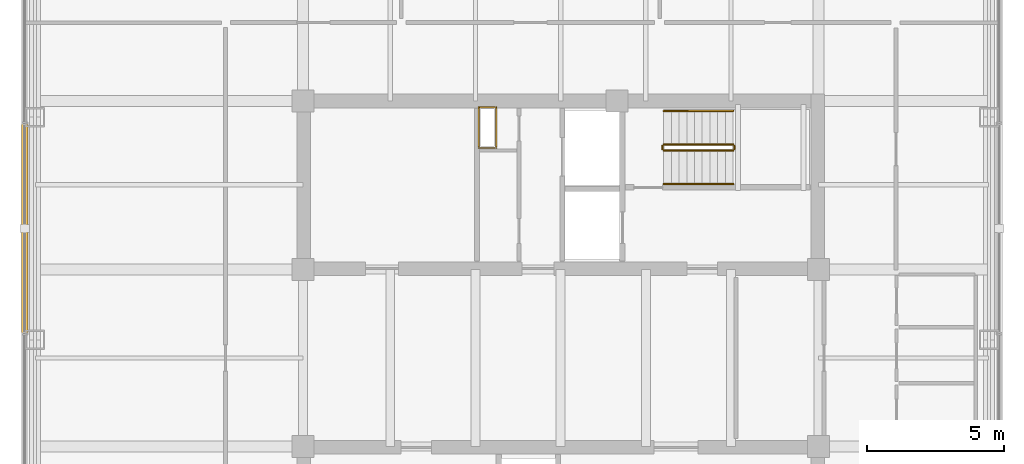
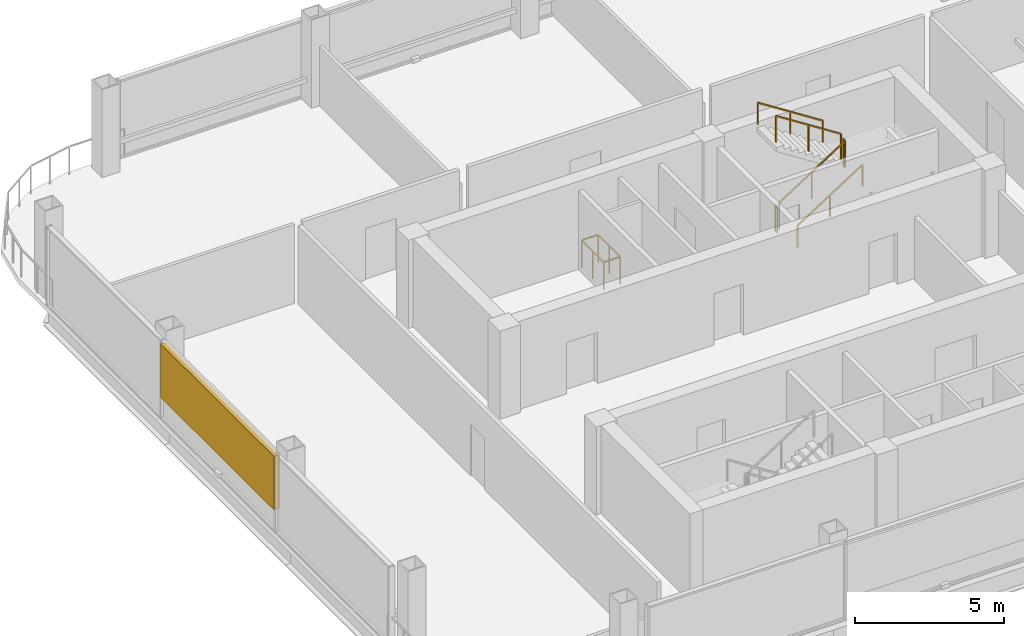
# One storey, part 18 of 19: 7 railings, 1 shading device.
"""IFC4 building model written with IfcOpenShell, lengths in metres."""

from ifc_helpers import new_model, si_unit, direction, frame, origin, origin_2d, place, context, subcontext, project, spatial, rectangle, extrude, material, type_object, element, save


model = new_model("IFC4")

# Units and contexts
model_context = context("Model", 3, precision=1e-05, world=origin(), true_north=direction((0.0, 1.0)))
body_context = subcontext(model_context, "Body", "Model", "MODEL_VIEW")
ifc_project = project(units=[si_unit("LENGTHUNIT", "METRE"), si_unit("AREAUNIT", "SQUARE_METRE"), si_unit("VOLUMEUNIT", "CUBIC_METRE"), si_unit("PLANEANGLEUNIT", "RADIAN"), si_unit("MASSUNIT", "GRAM", prefix="KILO")], contexts=[model_context])

# Site, building, storey
site_placement = place(None, origin())
site = spatial("IfcSite", under=ifc_project, at=site_placement, CompositionType="ELEMENT")
building_placement = place(site_placement, origin())
building = spatial("IfcBuilding", under=site, at=building_placement, Name="Qhalaya Broadcast Tower", CompositionType="ELEMENT")
storey_placement = place(building_placement, frame((0.0, 0.0, 148.199951171875)))
storey = spatial("IfcBuildingStorey", under=building, at=storey_placement, Name="L43", CompositionType="ELEMENT", Elevation=148.199951171875)

# Railings
ifc_material_1 = material(Name="Powder-Coated Galvanised Steel", Category="steel")
railing_type_1 = type_object("IfcRailingType", Name="Stair Wall Handrail 900", PredefinedType="HANDRAIL", material=ifc_material_1)
railing_1_placement = place(storey_placement, frame((3.75, 6.929931640625, 0.179931640625)))
element("IfcRailing", 1, at=railing_1_placement, inside=storey, type_object=railing_type_1, Name="L43 ST-1 Stair Handrail 1", PredefinedType="HANDRAIL", context=body_context, shape_type="SweptSolid", body=[
    extrude(rectangle(XDim=0.048095703125, YDim=0.048095703125, at=origin_2d()), frame((0.0, 0.0, 0.8759765625), z_axis=(0.841162588446, 0.0, 0.540782303519), x_axis=(0.0, 1.0, 0.0)), (0.0, 0.0, 1.0), 2.995849609375),
    extrude(rectangle(XDim=0.0419921875, YDim=0.0419921875, at=origin_2d()), origin(), (0.0, 0.0, 1.0), 0.849853515625),
    extrude(rectangle(XDim=0.0419921875, YDim=0.0419921875, at=origin_2d()), frame((1.260009765625, 0.0, 0.81005859375)), (0.0, 0.0, 1.0), 0.849853515625),
    extrude(rectangle(XDim=0.0419921875, YDim=0.0419921875, at=origin_2d()), frame((2.52001953125, 0.0, 1.6201171875)), (0.0, 0.0, 1.0), 0.849853515625),
])
railing_2_placement = place(storey_placement, frame((6.27001953125, 9.590087890625, 1.97998046875)))
element("IfcRailing", 2, at=railing_2_placement, inside=storey, type_object=railing_type_1, Name="L43 ST-1 Stair Handrail 2", PredefinedType="HANDRAIL", context=body_context, shape_type="SweptSolid", body=[
    extrude(rectangle(XDim=0.048095703125, YDim=0.048095703125, at=origin_2d()), frame((0.0, 0.0, 0.8759765625), z_axis=(-0.841162588446, 0.0, 0.540782303519), x_axis=(0.0, -1.0, 0.0)), (0.0, 0.0, 1.0), 2.995849609375),
    extrude(rectangle(XDim=0.0419921875, YDim=0.0419921875, at=origin_2d()), origin(), (0.0, 0.0, 1.0), 0.849853515625),
    extrude(rectangle(XDim=0.0419921875, YDim=0.0419921875, at=origin_2d()), frame((-1.260009765625, 0.0, 0.81005859375)), (0.0, 0.0, 1.0), 0.849853515625),
    extrude(rectangle(XDim=0.0419921875, YDim=0.0419921875, at=origin_2d()), frame((-2.52001953125, 0.0, 1.6201171875)), (0.0, 0.0, 1.0), 0.849853515625),
])
railing_type_2 = type_object("IfcRailingType", Name="Stair Well & Landing Guardrail 1100", PredefinedType="GUARDRAIL", material=ifc_material_1)
railing_3_placement = place(storey_placement, frame((-2.340087890625, 8.239990234375, 0.0)))
element("IfcRailing", 3, at=railing_3_placement, inside=storey, type_object=railing_type_2, Name="L43 Service Riser Opening Safety Guard NRSR", PredefinedType="GUARDRAIL", context=body_context, shape_type="SweptSolid", body=[
    extrude(rectangle(XDim=0.048095703125, YDim=0.048095703125, at=origin_2d()), frame((0.0, 0.02880859375, 1.1259765625), z_axis=(0.0, 1.0, 0.0), x_axis=(-1.0, 0.0, 0.0)), (0.0, 0.0, 1.0), 1.42236328125),
    extrude(rectangle(XDim=0.048095703125, YDim=0.048095703125, at=origin_2d()), frame((-0.02880859375, 1.47998046875, 1.1259765625), z_axis=(-1.0, 0.0, 0.0), x_axis=(0.0, -1.0, 0.0)), (0.0, 0.0, 1.0), 0.582275390625),
    extrude(rectangle(XDim=0.048095703125, YDim=0.048095703125, at=origin_2d()), frame((-0.639892578125, 1.451171875, 1.1259765625), z_axis=(0.0, -1.0, 0.0), x_axis=(1.0, 0.0, 0.0)), (0.0, 0.0, 1.0), 1.42236328125),
    extrude(rectangle(XDim=0.048095703125, YDim=0.048095703125, at=origin_2d()), frame((-0.611083984375, 0.0, 1.1259765625), z_axis=(1.0, 0.0, 0.0), x_axis=(0.0, 1.0, 0.0)), (0.0, 0.0, 1.0), 0.582275390625),
    extrude(rectangle(XDim=0.0419921875, YDim=0.0419921875, at=origin_2d()), origin(), (0.0, 0.0, 1.0), 1.099853515625),
    extrude(rectangle(XDim=0.0419921875, YDim=0.0419921875, at=origin_2d()), frame((0.0, 0.739990234375, 0.0)), (0.0, 0.0, 1.0), 1.099853515625),
    extrude(rectangle(XDim=0.0419921875, YDim=0.0419921875, at=origin_2d()), frame((0.0, 1.47998046875, 0.0)), (0.0, 0.0, 1.0), 1.099853515625),
    extrude(rectangle(XDim=0.0419921875, YDim=0.0419921875, at=origin_2d()), frame((-0.639892578125, 1.47998046875, 0.0)), (0.0, 0.0, 1.0), 1.099853515625),
    extrude(rectangle(XDim=0.0419921875, YDim=0.0419921875, at=origin_2d()), frame((-0.639892578125, 0.739990234375, 0.0)), (0.0, 0.0, 1.0), 1.099853515625),
    extrude(rectangle(XDim=0.0419921875, YDim=0.0419921875, at=origin_2d()), frame((-0.639892578125, 0.0, 0.0)), (0.0, 0.0, 1.0), 1.099853515625),
])
railing_4_placement = place(storey_placement, frame((3.75, 8.14990234375, 0.179931640625)))
element("IfcRailing", 4, at=railing_4_placement, inside=storey, type_object=railing_type_2, Name="L43 ST-1 Stair Guard 1", PredefinedType="GUARDRAIL", context=body_context, shape_type="SweptSolid", body=[
    extrude(rectangle(XDim=0.048095703125, YDim=0.048095703125, at=origin_2d()), frame((0.0, 0.0, 1.076171875), z_axis=(0.841162588446, 0.0, 0.540782303519), x_axis=(0.0, 1.0, 0.0)), (0.0, 0.0, 1.0), 2.995849609375),
    extrude(rectangle(XDim=0.0419921875, YDim=0.0419921875, at=origin_2d()), origin(), (0.0, 0.0, 1.0), 1.050048828125),
    extrude(rectangle(XDim=0.0419921875, YDim=0.0419921875, at=origin_2d()), frame((1.260009765625, 0.0, 0.81005859375)), (0.0, 0.0, 1.0), 1.050048828125),
    extrude(rectangle(XDim=0.0419921875, YDim=0.0419921875, at=origin_2d()), frame((2.52001953125, 0.0, 1.6201171875)), (0.0, 0.0, 1.0), 1.050048828125),
])
railing_5_placement = place(storey_placement, frame((6.320068359375, 8.199951171875, 1.800048828125)))
element("IfcRailing", 5, at=railing_5_placement, inside=storey, type_object=railing_type_2, Name="L43 ST-1 Stair Guard 2", PredefinedType="GUARDRAIL", context=body_context, shape_type="SweptSolid", body=[
    extrude(rectangle(XDim=0.048095703125, YDim=0.048095703125, at=origin_2d()), frame((0.0, 0.0, 1.076171875), z_axis=(0.0, 1.0, 0.0), x_axis=(-1.0, 0.0, 0.0)), (0.0, 0.0, 1.0), 0.1201171875),
    extrude(rectangle(XDim=0.0419921875, YDim=0.0419921875, at=origin_2d()), origin(), (0.0, 0.0, 1.0), 1.050048828125),
    extrude(rectangle(XDim=0.0419921875, YDim=0.0419921875, at=origin_2d()), frame((0.0, 0.1201171875, 0.0)), (0.0, 0.0, 1.0), 1.050048828125),
])
railing_6_placement = place(storey_placement, frame((6.27001953125, 8.3701171875, 1.97998046875)))
element("IfcRailing", 6, at=railing_6_placement, inside=storey, type_object=railing_type_2, Name="L43 ST-1 Stair Guard 3", PredefinedType="GUARDRAIL", context=body_context, shape_type="SweptSolid", body=[
    extrude(rectangle(XDim=0.048095703125, YDim=0.048095703125, at=origin_2d()), frame((0.0, 0.0, 1.076171875), z_axis=(-0.841162588446, 0.0, 0.540782303519), x_axis=(0.0, -1.0, 0.0)), (0.0, 0.0, 1.0), 2.995849609375),
    extrude(rectangle(XDim=0.0419921875, YDim=0.0419921875, at=origin_2d()), origin(), (0.0, 0.0, 1.0), 1.050048828125),
    extrude(rectangle(XDim=0.0419921875, YDim=0.0419921875, at=origin_2d()), frame((-1.260009765625, 0.0, 0.81005859375)), (0.0, 0.0, 1.0), 1.050048828125),
    extrude(rectangle(XDim=0.0419921875, YDim=0.0419921875, at=origin_2d()), frame((-2.52001953125, 0.0, 1.6201171875)), (0.0, 0.0, 1.0), 1.050048828125),
])
railing_7_placement = place(storey_placement, frame((3.699951171875, 8.199951171875, 0.0)))
element("IfcRailing", 7, at=railing_7_placement, inside=storey, type_object=railing_type_2, Name="L43 ST-1 Stair Guard 4", PredefinedType="GUARDRAIL", context=body_context, shape_type="SweptSolid", body=[
    extrude(rectangle(XDim=0.048095703125, YDim=0.048095703125, at=origin_2d()), frame((0.0, 0.0, 1.076171875), z_axis=(0.0, 1.0, 0.0), x_axis=(-1.0, 0.0, 0.0)), (0.0, 0.0, 1.0), 0.1201171875),
    extrude(rectangle(XDim=0.0419921875, YDim=0.0419921875, at=origin_2d()), origin(), (0.0, 0.0, 1.0), 1.050048828125),
    extrude(rectangle(XDim=0.0419921875, YDim=0.0419921875, at=origin_2d()), frame((0.0, 0.1201171875, 0.0)), (0.0, 0.0, 1.0), 1.050048828125),
])

# Shading device
ifc_material_2 = material(Name="Fired Architectural Terracotta", Category="masonry")
shading_device_type = type_object("IfcShadingDeviceType", Name="Terracotta Baguette Solar Screen Assembly TBS-01", PredefinedType="USERDEFINED", material=ifc_material_2)
shading_device_placement = place(storey_placement, frame((-19.5, 5.31005859375, 0.9013671875), z_axis=(0.0, 0.0, 1.0), x_axis=(0.0, -1.0, 0.0)))
element("IfcShadingDevice", 8, at=shading_device_placement, inside=storey, type_object=shading_device_type, Name="L43 Fired Terracotta Baguette Screen W", ObjectType="BAGUETTE", PredefinedType="USERDEFINED", context=body_context, shape_type="SweptSolid", body=[
    extrude(rectangle(XDim=7.60009765625, YDim=0.239990234375, at=origin_2d()), origin(), (0.0, 0.0, 1.0), 2.18994140625),
])

save(model, "model.ifc")
